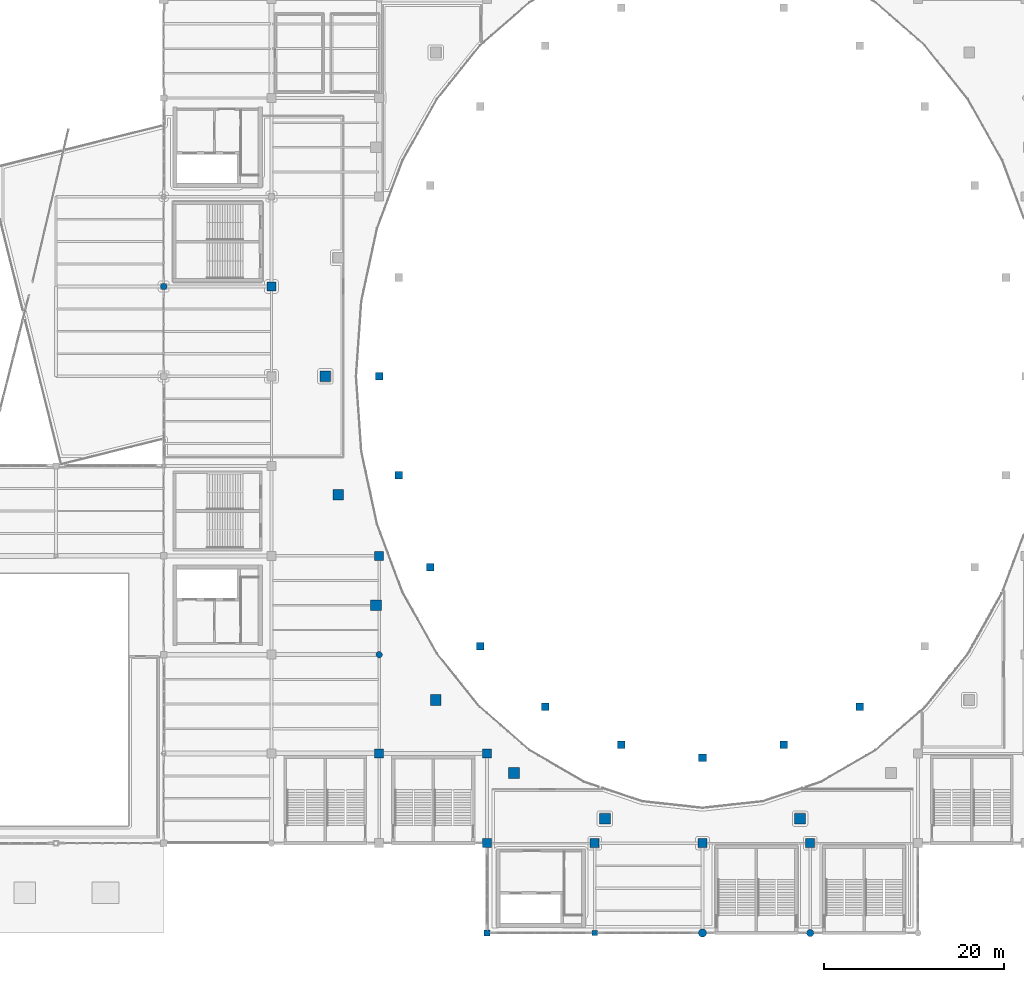
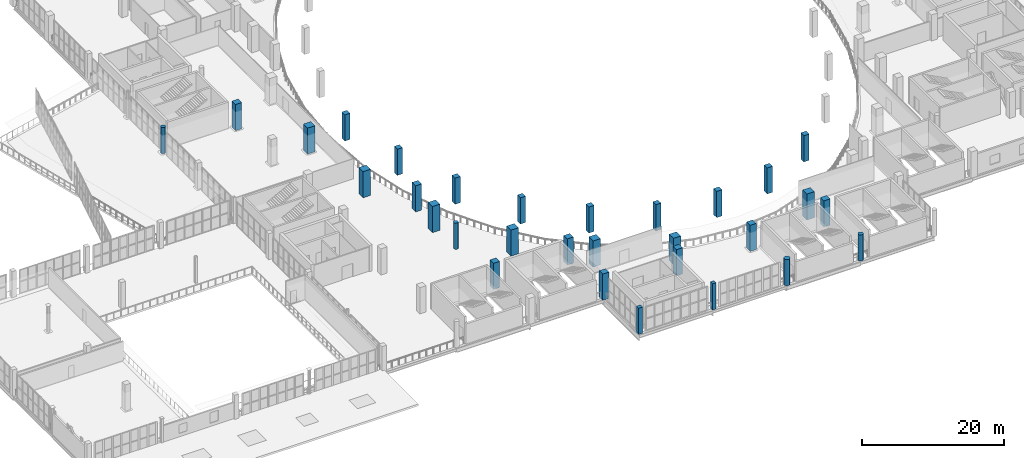
# One storey, part 5 of 108: 30 columns.
"""IFC4 building model written with IfcOpenShell, lengths in metres."""

from ifc_helpers import new_model, si_unit, direction, frame, origin, origin_2d, place, context, subcontext, project, spatial, rectangle, circle, extrude, material, material_profile, profile_set, type_object, element, save


model = new_model("IFC4")

# Units and contexts
model_context = context("Model", 3, precision=1e-05, world=origin(), true_north=direction((0.0, 1.0)))
body_context = subcontext(model_context, "Body", "Model", "MODEL_VIEW")
ifc_project = project(units=[si_unit("LENGTHUNIT", "METRE"), si_unit("AREAUNIT", "SQUARE_METRE"), si_unit("VOLUMEUNIT", "CUBIC_METRE"), si_unit("PLANEANGLEUNIT", "RADIAN"), si_unit("MASSUNIT", "GRAM", prefix="KILO")], contexts=[model_context])

# Site, building, storey
site_placement = place(None, origin())
site = spatial("IfcSite", under=ifc_project, at=site_placement, CompositionType="ELEMENT")
building_placement = place(site_placement, origin())
building = spatial("IfcBuilding", under=site, at=building_placement, Name="Brinegate Civic Arena", CompositionType="ELEMENT")
storey_placement = place(building_placement, frame((0.0, 0.0, 10.199951171875)))
storey = spatial("IfcBuildingStorey", under=building, at=storey_placement, Name="L02", CompositionType="ELEMENT", Elevation=10.199951171875)

# Columns
ifc_material = material(Name="Concrete C50/60", Category="concrete")
ifc_material_profile_1 = material_profile(ifc_material, rectangle(XDim=1.199951171875, YDim=1.199951171875, at=origin_2d()), Name="RC1200X1200")
ifc_profile_set_1 = profile_set([ifc_material_profile_1], Name="Concrete C50/60")
column_type_1 = type_object("IfcColumnType", Name="COL-CC01-1200", PredefinedType="COLUMN", material=ifc_profile_set_1)
for number, where, z_axis, x_axis, name in (
    (1, (66.0, 62.0, 0.0), (0.0, 0.0, 1.0), (1.0, 0.0, 0.0), "Bowl Raker Column OUT-13-L02"),
    (2, (67.430908203125, 48.800048828125, 0.0), (0.0, 0.0, 1.0), (1.0, 0.0, 0.0), "Bowl Raker Column OUT-14-L02"),
    (3, (71.626953125, 36.5, 0.0), (0.0, 0.0, 1.0), (1.0, 0.0, 0.0), "Bowl Raker Column OUT-15-L02"),
    (4, (78.302001953125, 25.93798828125, 0.0), (0.0, 0.0, 1.0), (1.0, 0.0, 0.0), "Bowl Raker Column OUT-16-L02"),
    (5, (87.0, 17.8330078125, 0.0), (0.0, 0.0, 1.0), (1.0, 0.0, 0.0), "Bowl Raker Column OUT-17-L02"),
    (6, (97.1298828125, 12.738037109375, 0.0), (0.0, 0.0, 1.0), (1.0, 0.0, 0.0), "Bowl Raker Column OUT-18-L02"),
    (7, (118.8701171875, 12.738037109375, 0.0), (0.0, 0.0, 1.0), (1.0, 0.0, 0.0), "Bowl Raker Column OUT-20-L02"),
):
    element("IfcColumn", number, at=place(storey_placement, frame(where, z_axis=z_axis, x_axis=x_axis)), inside=storey, type_object=column_type_1, Name=name, PredefinedType="COLUMN", context=body_context, shape_type="SweptSolid", body=[
        extrude(rectangle(XDim=1.199951171875, YDim=1.199951171875, at=origin_2d()), origin(), (0.0, 0.0, 1.0), 4.5),
    ])
ifc_material_profile_2 = material_profile(ifc_material, rectangle(XDim=1.0, YDim=1.0, at=origin_2d()), Name="RC1000X1000")
ifc_profile_set_2 = profile_set([ifc_material_profile_2], Name="Concrete C50/60")
column_type_2 = type_object("IfcColumnType", Name="COL-CC03-1000", PredefinedType="COLUMN", material=ifc_profile_set_2)
for number, where, z_axis, x_axis, name in (
    (8, (60.0, 72.0, 0.0), (0.0, 0.0, 1.0), (1.0, 0.0, 0.0), "Column COL-L02-6-H"),
    (9, (72.0, 20.0, 0.0), (0.0, 0.0, 1.0), (1.0, 0.0, 0.0), "Column COL-L02-7-C"),
    (10, (72.0, 42.0, 0.0), (0.0, 0.0, 1.0), (1.0, 0.0, 0.0), "Column COL-L02-7-E"),
    (11, (84.0, 10.0, 0.0), (0.0, 0.0, 1.0), (1.0, 0.0, 0.0), "Column COL-L02-8-B"),
    (12, (84.0, 20.0, 0.0), (0.0, 0.0, 1.0), (1.0, 0.0, 0.0), "Column COL-L02-8-C"),
    (13, (96.0, 10.0, 0.0), (0.0, 0.0, 1.0), (1.0, 0.0, 0.0), "Column COL-L02-9-B"),
    (14, (108.0, 10.0, 0.0), (0.0, 0.0, 1.0), (1.0, 0.0, 0.0), "Column COL-L02-10-B"),
    (15, (120.0, 10.0, 0.0), (0.0, 0.0, 1.0), (1.0, 0.0, 0.0), "Column COL-L02-11-B"),
):
    element("IfcColumn", number, at=place(storey_placement, frame(where, z_axis=z_axis, x_axis=x_axis)), inside=storey, type_object=column_type_2, Name=name, PredefinedType="COLUMN", context=body_context, shape_type="SweptSolid", body=[
        extrude(rectangle(XDim=1.0, YDim=1.0, at=origin_2d()), origin(), (0.0, 0.0, 1.0), 4.5),
    ])
ifc_material_profile_3 = material_profile(ifc_material, rectangle(XDim=0.85009765625, YDim=0.85009765625, at=origin_2d()), Name="RC850X850")
ifc_profile_set_3 = profile_set([ifc_material_profile_3], Name="Concrete C50/60")
column_type_3 = type_object("IfcColumnType", Name="COL-CC06-850", PredefinedType="COLUMN", material=ifc_profile_set_3)
for number, where, z_axis, x_axis, name in (
    (16, (72.0, 62.0, 0.0), (0.0, 0.0, 1.0), (1.0, 0.0, 0.0), "Upper Raker Inner Column UIN-13-L02"),
    (17, (74.193115234375, 51.0, 0.0), (0.0, 0.0, 1.0), (1.0, 0.0, 0.0), "Upper Raker Inner Column UIN-14-L02"),
    (18, (77.68896484375, 40.75, 0.0), (0.0, 0.0, 1.0), (1.0, 0.0, 0.0), "Upper Raker Inner Column UIN-15-L02"),
    (19, (83.2509765625, 31.947998046875, 0.0), (0.0, 0.0, 1.0), (1.0, 0.0, 0.0), "Upper Raker Inner Column UIN-16-L02"),
    (20, (90.5, 25.194091796875, 0.0), (0.0, 0.0, 1.0), (1.0, 0.0, 0.0), "Upper Raker Inner Column UIN-17-L02"),
    (21, (98.94091796875, 20.947998046875, 0.0), (0.0, 0.0, 1.0), (1.0, 0.0, 0.0), "Upper Raker Inner Column UIN-18-L02"),
    (22, (108.0, 19.5, 0.0), (0.0, 0.0, 1.0), (1.0, 0.0, 0.0), "Upper Raker Inner Column UIN-19-L02"),
    (23, (117.05908203125, 20.947998046875, 0.0), (0.0, 0.0, 1.0), (1.0, 0.0, 0.0), "Upper Raker Inner Column UIN-20-L02"),
    (24, (125.5, 25.194091796875, 0.0), (0.0, 0.0, 1.0), (1.0, 0.0, 0.0), "Upper Raker Inner Column UIN-21-L02"),
):
    element("IfcColumn", number, at=place(storey_placement, frame(where, z_axis=z_axis, x_axis=x_axis)), inside=storey, type_object=column_type_3, Name=name, PredefinedType="COLUMN", context=body_context, shape_type="SweptSolid", body=[
        extrude(rectangle(XDim=0.85009765625, YDim=0.85009765625, at=origin_2d()), origin(), (0.0, 0.0, 1.0), 4.5),
    ])
ifc_material_profile_4 = material_profile(ifc_material, rectangle(XDim=0.64990234375, YDim=0.64990234375, at=origin_2d()), Name="RC650X650")
ifc_profile_set_4 = profile_set([ifc_material_profile_4], Name="Concrete C50/60")
column_type_4 = type_object("IfcColumnType", Name="COL-CC10-650", PredefinedType="COLUMN", material=ifc_profile_set_4)
column_1_placement = place(storey_placement, frame((84.0, 0.0, 0.0), z_axis=(0.0, 0.0, 1.0), x_axis=(1.0, 0.0, 0.0)))
element("IfcColumn", 25, at=column_1_placement, inside=storey, type_object=column_type_4, Name="Column COL-L02-8-A", PredefinedType="COLUMN", context=body_context, shape_type="SweptSolid", body=[
    extrude(rectangle(XDim=0.64990234375, YDim=0.64990234375, at=origin_2d()), origin(), (0.0, 0.0, 1.0), 4.5),
])
ifc_material_profile_5 = material_profile(ifc_material, rectangle(XDim=0.60009765625, YDim=0.60009765625, at=origin_2d()), Name="RC600X600")
ifc_profile_set_5 = profile_set([ifc_material_profile_5], Name="Concrete C50/60")
column_type_5 = type_object("IfcColumnType", Name="COL-CC11-600", PredefinedType="COLUMN", material=ifc_profile_set_5)
column_2_placement = place(storey_placement, frame((96.0, 0.0, 0.0), z_axis=(0.0, 0.0, 1.0), x_axis=(1.0, 0.0, 0.0)))
element("IfcColumn", 26, at=column_2_placement, inside=storey, type_object=column_type_5, Name="Column COL-L02-9-A", PredefinedType="COLUMN", context=body_context, shape_type="SweptSolid", body=[
    extrude(rectangle(XDim=0.60009765625, YDim=0.60009765625, at=origin_2d()), origin(), (0.0, 0.0, 1.0), 4.5),
])
ifc_material_profile_6 = material_profile(ifc_material, circle(Radius=0.449951171875, at=origin_2d()), Name="RCD900")
ifc_profile_set_6 = profile_set([ifc_material_profile_6], Name="Concrete C50/60")
column_type_6 = type_object("IfcColumnType", Name="COL-CC12-D900", PredefinedType="COLUMN", material=ifc_profile_set_6)
column_3_placement = place(storey_placement, frame((108.0, 0.0, 0.0), z_axis=(0.0, 0.0, 1.0), x_axis=(1.0, 0.0, 0.0)))
element("IfcColumn", 27, at=column_3_placement, inside=storey, type_object=column_type_6, Name="Column COL-L02-10-A", PredefinedType="COLUMN", context=body_context, shape_type="SweptSolid", body=[
    extrude(circle(Radius=0.449951171875, at=origin_2d()), origin(), (0.0, 0.0, 1.0), 4.5),
])
ifc_material_profile_7 = material_profile(ifc_material, circle(Radius=0.39990234375, at=origin_2d()), Name="RCD800")
ifc_profile_set_7 = profile_set([ifc_material_profile_7], Name="Concrete C50/60")
column_type_7 = type_object("IfcColumnType", Name="COL-CC13-D800", PredefinedType="COLUMN", material=ifc_profile_set_7)
column_4_placement = place(storey_placement, frame((120.0, 0.0, 0.0), z_axis=(0.0, 0.0, 1.0), x_axis=(1.0, 0.0, 0.0)))
element("IfcColumn", 28, at=column_4_placement, inside=storey, type_object=column_type_7, Name="Column COL-L02-11-A", PredefinedType="COLUMN", context=body_context, shape_type="SweptSolid", body=[
    extrude(circle(Radius=0.39990234375, at=origin_2d()), origin(), (0.0, 0.0, 1.0), 4.5),
])
ifc_material_profile_8 = material_profile(ifc_material, circle(Radius=0.35009765625, at=origin_2d()), Name="RCD700")
ifc_profile_set_8 = profile_set([ifc_material_profile_8], Name="Concrete C50/60")
column_type_8 = type_object("IfcColumnType", Name="COL-CC14-D700", PredefinedType="COLUMN", material=ifc_profile_set_8)
for number, where, z_axis, x_axis, name in (
    (29, (48.0, 72.0, 0.0), (0.0, 0.0, 1.0), (1.0, 0.0, 0.0), "Column COL-L02-5-H"),
    (30, (72.0, 31.0, 0.0), (0.0, 0.0, 1.0), (1.0, 0.0, 0.0), "Column COL-L02-7-D"),
):
    element("IfcColumn", number, at=place(storey_placement, frame(where, z_axis=z_axis, x_axis=x_axis)), inside=storey, type_object=column_type_8, Name=name, PredefinedType="COLUMN", context=body_context, shape_type="SweptSolid", body=[
        extrude(circle(Radius=0.35009765625, at=origin_2d()), origin(), (0.0, 0.0, 1.0), 4.5),
    ])

save(model, "model.ifc")
